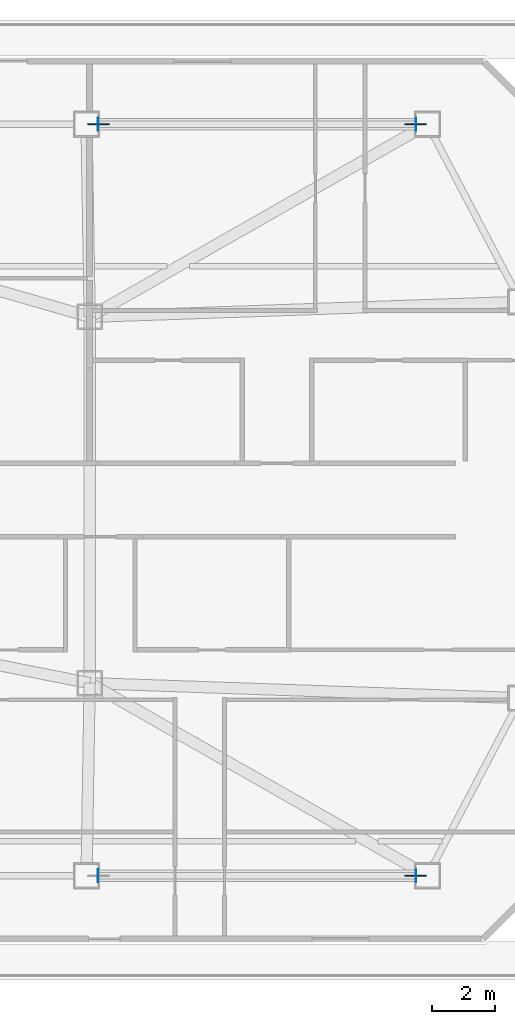
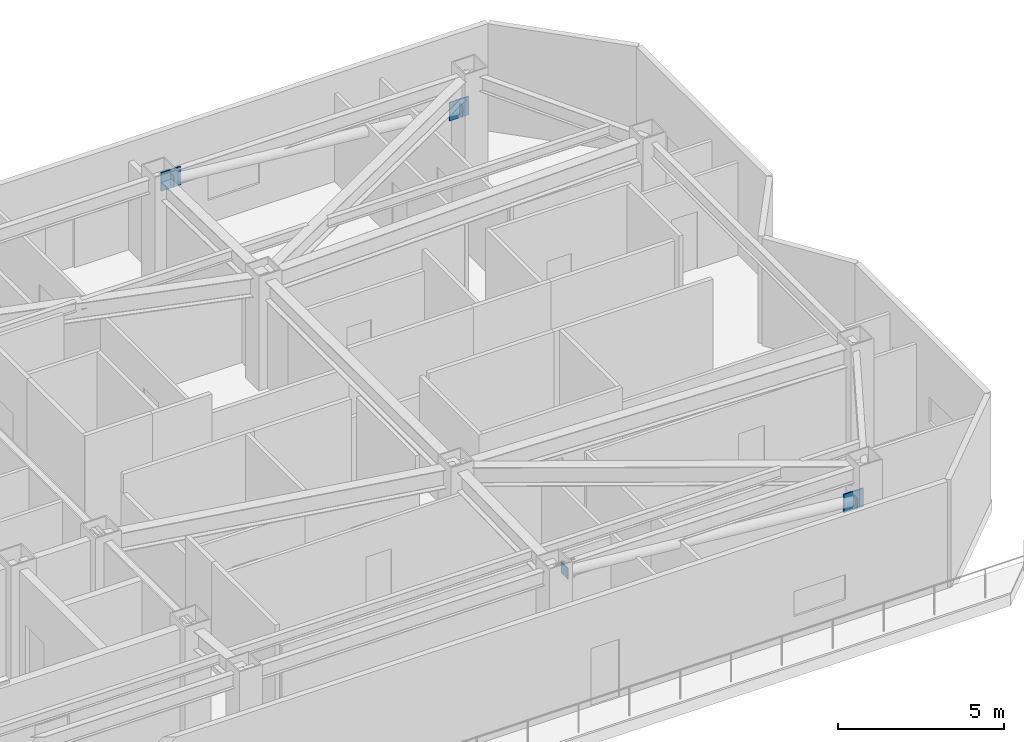
# One storey, part 3 of 11: 7 plates.
"""IFC4 building model written with IfcOpenShell, lengths in metres."""

import ifcopenshell
import ifcopenshell.guid

model = None  # the IFC model being written
_history = None  # IfcOwnerHistory: only IFC2X3 demands one
_inside = {}  # id of a spatial element -> (the spatial element, [elements in it])
_under = {}  # id of a project, library or spatial element -> (it, [spatial elements below it])
_declared = {}  # id of a project -> (the project, [libraries it declares])
_typed = {}  # id of a type object -> (the type object, [elements of that type])
_made_of = {}  # id of a material, layer set ... -> (it, [elements and type objects made of it])


def new_model(schema):
    """Start an empty IFC model of exactly this schema.

    Asked for "IFC4X3", IfcOpenShell would pick the latest addendum, in which some entities
    have other attributes; the version numbers below select the first issue.
    IFC2X3 requires an IfcOwnerHistory on every rooted entity: one is made here for all.
    """
    global model, _history
    if schema == "IFC4X3":
        model = ifcopenshell.file(schema_version=(4, 3, 0, 0))
    else:
        model = ifcopenshell.file(schema=schema)
    _inside.clear()
    _under.clear()
    _declared.clear()
    _typed.clear()
    _made_of.clear()
    _history = None
    if model.schema == "IFC2X3":
        org = make("IfcOrganization", Name="unknown")
        user = make(
            "IfcPersonAndOrganization",
            ThePerson=make("IfcPerson", FamilyName="unknown"),
            TheOrganization=org,
        )
        app = make(
            "IfcApplication",
            ApplicationDeveloper=org,
            Version="unknown",
            ApplicationFullName="unknown",
            ApplicationIdentifier="unknown",
        )
        _history = make(
            "IfcOwnerHistory",
            OwningUser=user,
            OwningApplication=app,
            ChangeAction="ADDED",
            CreationDate=0,
        )
    return model


def make(cls, **values):
    """One entity of the class cls with the attributes given. An attribute that is None is left unset."""
    return model.create_entity(
        cls, **{name: value for name, value in values.items() if value is not None}
    )


def rooted(cls, **values):
    """An entity with a GlobalId (a new one), such as an element, a storey or a relation."""
    return make(cls, GlobalId=ifcopenshell.guid.new(), OwnerHistory=_history, **values)


def si_unit(unit_type, name, prefix=None):
    """IfcSIUnit, for example si_unit("LENGTHUNIT", "METRE", prefix="MILLI")."""
    return make("IfcSIUnit", UnitType=unit_type, Prefix=prefix, Name=name)


def assignment(units):
    """IfcUnitAssignment: the units of a project."""
    return None if units is None else make("IfcUnitAssignment", Units=units)


def point(xyz):
    """IfcCartesianPoint."""
    return None if xyz is None else make("IfcCartesianPoint", Coordinates=xyz)


def direction(xyz):
    """IfcDirection."""
    return None if xyz is None else make("IfcDirection", DirectionRatios=xyz)


def frame(location, z_axis=None, x_axis=None):
    """IfcAxis2Placement3D, a coordinate frame: its origin and axes. An axis left out is left unset."""
    return make(
        "IfcAxis2Placement3D",
        Location=point(location),
        Axis=direction(z_axis),
        RefDirection=direction(x_axis),
    )


def frame_2d(location, x_axis=None):
    """IfcAxis2Placement2D, a coordinate frame in the plane: its origin and x axis."""
    return make(
        "IfcAxis2Placement2D", Location=point(location), RefDirection=direction(x_axis)
    )


def origin():
    """The frame at (0, 0, 0) with its axes left unset."""
    return frame((0.0, 0.0, 0.0))


def origin_2d():
    """The frame at (0, 0) in the plane with its x axis left unset."""
    return frame_2d((0.0, 0.0))


def place(relative_to, where):
    """IfcLocalPlacement: puts the frame where relative to a parent placement (None: the world)."""
    return make(
        "IfcLocalPlacement", PlacementRelTo=relative_to, RelativePlacement=where
    )


def context(
    kind, dimensions, precision=None, world=None, true_north=None, identifier=None
):
    """IfcGeometricRepresentationContext, for example the 3D "Model" context."""
    return make(
        "IfcGeometricRepresentationContext",
        ContextIdentifier=identifier,
        ContextType=kind,
        CoordinateSpaceDimension=dimensions,
        Precision=precision,
        WorldCoordinateSystem=world,
        TrueNorth=true_north,
    )


def subcontext(parent, identifier, kind, view, scale=None):
    """IfcGeometricRepresentationSubContext, for example "Body" below "Model"."""
    return make(
        "IfcGeometricRepresentationSubContext",
        ContextIdentifier=identifier,
        ContextType=kind,
        ParentContext=parent,
        TargetScale=scale,
        TargetView=view,
    )


def project(units=None, contexts=None):
    """IfcProject with its units and contexts."""
    return rooted(
        "IfcProject",
        Name="project",
        RepresentationContexts=contexts,
        UnitsInContext=assignment(units),
    )


def spatial(cls, under=None, at=None, **own):
    """A site, building, storey or space (cls), placed at a placement, below another one or the project."""
    s = rooted(cls, ObjectPlacement=at, **own)
    if under is not None:
        _under.setdefault(under.id(), (under, []))[1].append(s)
    return s


def profile(cls, at=None, kind="AREA", **sizes):
    """A parametric profile (cls). Its sizes go by their IFC names, for example OverallWidth=200.0."""
    return make(cls, ProfileType=kind, Position=at, **sizes)


def rectangle(**sizes):
    """IfcRectangleProfileDef."""
    return profile("IfcRectangleProfileDef", **sizes)


def extrude(swept, where, along, depth):
    """IfcExtrudedAreaSolid: the profile swept, set in the frame where, extruded along a direction by depth."""
    return make(
        "IfcExtrudedAreaSolid",
        SweptArea=swept,
        Position=where,
        ExtrudedDirection=direction(along),
        Depth=depth,
    )


def shape(context_of_items, identifier, shape_type, items):
    """IfcShapeRepresentation: the items that make up one representation, for example the "Body"."""
    return make(
        "IfcShapeRepresentation",
        ContextOfItems=context_of_items,
        RepresentationIdentifier=identifier,
        RepresentationType=shape_type,
        Items=items,
    )


def material(Name=None, Category=None):
    """IfcMaterial."""
    return make("IfcMaterial", Name=Name, Category=Category)


def layer(
    of_material, thickness, ventilated=None, Name=None, Category=None, Priority=None
):
    """IfcMaterialLayer: one layer of a wall or slab, of a material (None: an air gap)."""
    return make(
        "IfcMaterialLayer",
        Material=of_material,
        LayerThickness=thickness,
        IsVentilated=ventilated,
        Name=Name,
        Category=Category,
        Priority=Priority,
    )


def layer_set(layers, Name=None):
    """IfcMaterialLayerSet."""
    return make("IfcMaterialLayerSet", MaterialLayers=layers, LayerSetName=Name)


def made_of(thing, what):
    """Note that an element or type object is made of a material, layer set ...; save() writes the relation."""
    if what is not None:
        _made_of.setdefault(what.id(), (what, []))[1].append(thing)
    return thing


def type_object(cls, material=None, **own):
    """A type object (cls), such as IfcWallType, which elements share."""
    return made_of(rooted(cls, **own), material)


def element(
    cls,
    number,
    at=None,
    inside=None,
    cuts=None,
    type_object=None,
    material=None,
    context=None,
    identifier="Body",
    shape_type=None,
    held_by="IfcProductDefinitionShape",
    body=None,
    shapes=None,
    **own,
):
    """One element of the class cls, such as IfcWall. Its Tag is "e" and its number.

    at: its placement. inside: the storey or other place that contains it. cuts: it is an
    opening in that element (IfcRelVoidsElement). A single representation is given by context,
    identifier, shape_type and body (its items); several are given by shapes. held_by: the class
    of the entity that holds the representations. save() writes the other relations.
    """
    e = rooted(cls, Tag="e%d" % number, ObjectPlacement=at, **own)
    if body is not None:
        shapes = [shape(context, identifier, shape_type, body)]
    if shapes is not None:
        e.Representation = make(held_by, Representations=shapes)
    if inside is not None:
        _inside.setdefault(inside.id(), (inside, []))[1].append(e)
    if cuts is not None:
        rooted(
            "IfcRelVoidsElement", RelatingBuildingElement=cuts, RelatedOpeningElement=e
        )
    if type_object is not None:
        _typed.setdefault(type_object.id(), (type_object, []))[1].append(e)
    return made_of(e, material)


def aggregate(whole, parts):
    """IfcRelAggregates: a whole, such as a stair, and the parts it consists of."""
    return rooted("IfcRelAggregates", RelatingObject=whole, RelatedObjects=parts)


def save(model, path):
    """Write the relations noted so far, then the file.

    IfcRelAggregates (storeys below a building ...), IfcRelContainedInSpatialStructure (elements
    in a storey), IfcRelDefinesByType, IfcRelAssociatesMaterial and IfcRelDeclares: one each for
    every whole, place, type object, material and project.
    """
    for whole, parts in _under.values():
        aggregate(whole, parts)
    for where, things in _inside.values():
        rooted(
            "IfcRelContainedInSpatialStructure",
            RelatedElements=things,
            RelatingStructure=where,
        )
    for kind, things in _typed.values():
        rooted("IfcRelDefinesByType", RelatedObjects=things, RelatingType=kind)
    for what, things in _made_of.values():
        rooted("IfcRelAssociatesMaterial", RelatedObjects=things, RelatingMaterial=what)
    for by, libraries in _declared.values():
        rooted("IfcRelDeclares", RelatingContext=by, RelatedDefinitions=libraries)
    model.write(path)


model = new_model("IFC4")

# Units and contexts
model_context = context("Model", 3, precision=1e-05, world=origin(), true_north=direction((0.0, 1.0)))
body_context = subcontext(model_context, "Body", "Model", "MODEL_VIEW")
ifc_project = project(units=[si_unit("LENGTHUNIT", "METRE"), si_unit("AREAUNIT", "SQUARE_METRE"), si_unit("VOLUMEUNIT", "CUBIC_METRE"), si_unit("PLANEANGLEUNIT", "RADIAN"), si_unit("MASSUNIT", "GRAM", prefix="KILO")], contexts=[model_context])

# Site, building, storey
site_placement = place(None, origin())
site = spatial("IfcSite", under=ifc_project, at=site_placement, CompositionType="ELEMENT")
building_placement = place(site_placement, origin())
building = spatial("IfcBuilding", under=site, at=building_placement, Name="Khamvora Tower", CompositionType="ELEMENT")
storey_placement = place(building_placement, frame((0.0, 0.0, 277.85009765625)))
storey = spatial("IfcBuildingStorey", under=building, at=storey_placement, Name="L71", CompositionType="ELEMENT", Elevation=277.85009765625)

# Plates
ifc_material_1 = material(Name="Steel S355", Category="steel")
ifc_layer_1 = layer(ifc_material_1, 0.02490234375)
ifc_layer_set_1 = layer_set([ifc_layer_1], Name="Steel S355")
plate_type_1 = type_object("IfcPlateType", Name="PL-CAP-25", PredefinedType="SHEET", material=ifc_layer_set_1)
for number, where, z_axis, x_axis, name in (
    (1, (60.833984375, 16.10009765625, 2.505859375), (0.0, 0.0, 1.0), (-1.0, 0.0, 0.0), "L71 hollow section steel end cap plate 1235"),
    (2, (50.76611328125, 16.10009765625, 3.44189453125), (0.0, 0.0, 1.0), (-1.0, 0.0, 0.0), "L71 hollow section steel end cap plate 1236"),
    (3, (60.833984375, 39.89990234375, 2.505859375), (0.0, 0.0, 1.0), (-1.0, 0.0, 0.0), "L71 hollow section steel end cap plate 1237"),
    (4, (50.76611328125, 39.89990234375, 3.44189453125), (0.0, 0.0, 1.0), (-1.0, 0.0, 0.0), "L71 hollow section steel end cap plate 1238"),
):
    element("IfcPlate", number, at=place(storey_placement, frame(where, z_axis=z_axis, x_axis=x_axis)), inside=storey, type_object=plate_type_1, Name=name, PredefinedType="SHEET", context=body_context, shape_type="SweptSolid", body=[
        extrude(rectangle(XDim=0.02490234375, YDim=0.416015625, at=origin_2d()), origin(), (0.0, 0.0, 1.0), 0.416015625),
    ])
ifc_material_2 = material(Name="Steel S460", Category="steel")
ifc_layer_2 = layer(ifc_material_2, 0.0400390625)
ifc_layer_set_2 = layer_set([ifc_layer_2], Name="Steel S460")
plate_type_2 = type_object("IfcPlateType", Name="PLT-GUS-40", PredefinedType="SHEET", material=ifc_layer_set_2)
for number, where, z_axis, x_axis, name in (
    (5, (60.822021484375, 16.10009765625, 2.375), (0.0, 0.0, 1.0), (1.0, 0.0, 0.0), "L71 brace connection node gusset plate 0441"),
    (6, (60.822021484375, 39.89990234375, 2.375), (0.0, 0.0, 1.0), (1.0, 0.0, 0.0), "L71 brace connection node gusset plate 0443"),
    (7, (50.778076171875, 39.89990234375, 3.30908203125), (0.0, 0.0, 1.0), (1.0, 0.0, 0.0), "L71 brace connection node gusset plate 0444"),
):
    element("IfcPlate", number, at=place(storey_placement, frame(where, z_axis=z_axis, x_axis=x_axis)), inside=storey, type_object=plate_type_2, Name=name, PredefinedType="SHEET", context=body_context, shape_type="SweptSolid", body=[
        extrude(rectangle(XDim=0.679931640625, YDim=0.0400390625, at=origin_2d()), origin(), (0.0, 0.0, 1.0), 0.679931640625),
    ])

save(model, "model.ifc")
